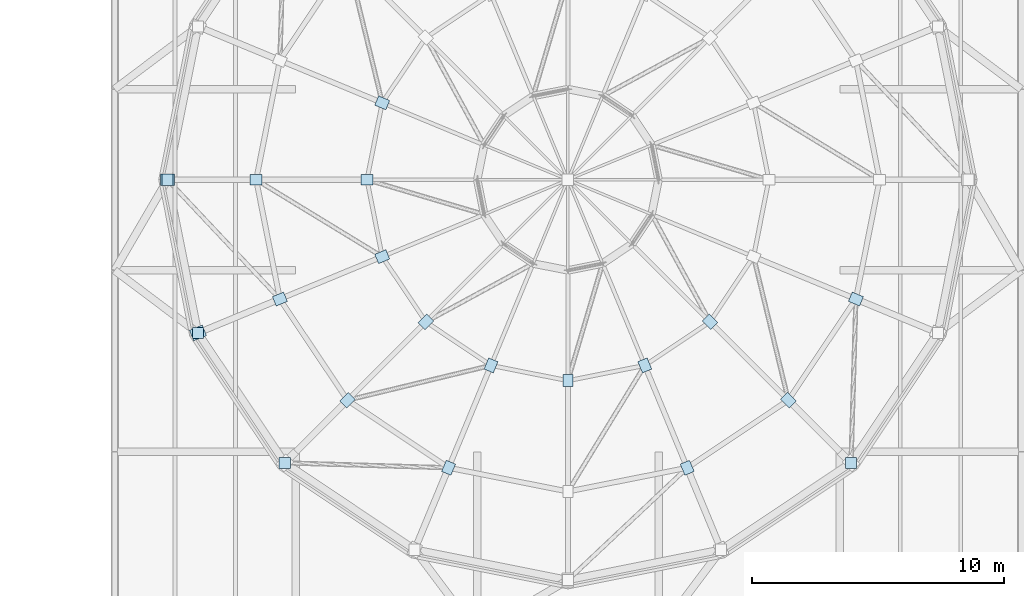
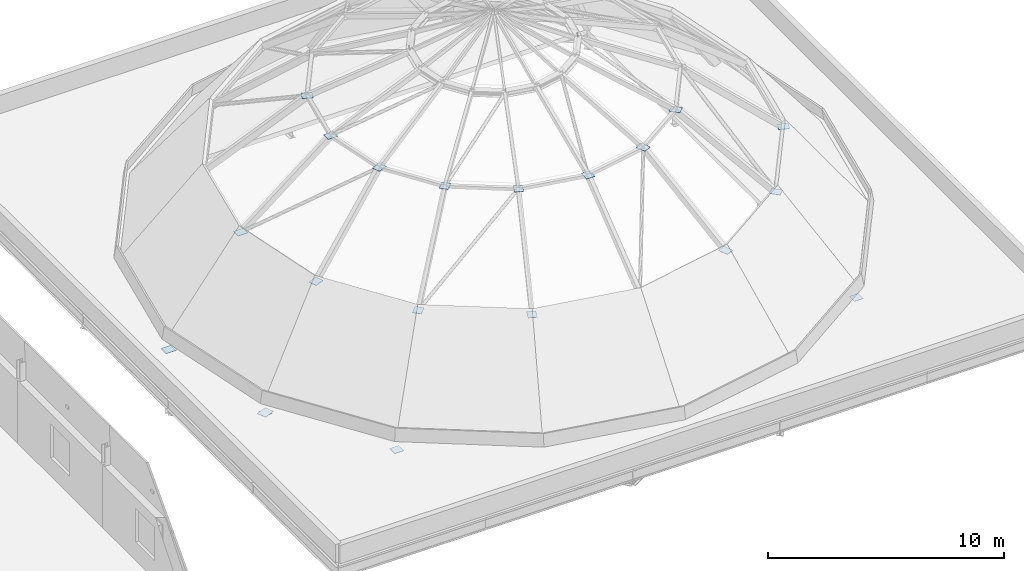
# One storey, part 36 of 66: 21 plates.
"""IFC4 building model written with IfcOpenShell, lengths in metres."""

from ifc_helpers import new_model, si_unit, direction, frame, origin, origin_2d, place, context, subcontext, project, spatial, rectangle, extrude, material, layer, layer_set, type_object, element, save


model = new_model("IFC4")

# Units and contexts
model_context = context("Model", 3, precision=1e-05, world=origin(), true_north=direction((0.0, 1.0)))
body_context = subcontext(model_context, "Body", "Model", "MODEL_VIEW")
ifc_project = project(units=[si_unit("LENGTHUNIT", "METRE"), si_unit("AREAUNIT", "SQUARE_METRE"), si_unit("VOLUMEUNIT", "CUBIC_METRE"), si_unit("PLANEANGLEUNIT", "RADIAN"), si_unit("MASSUNIT", "GRAM", prefix="KILO")], contexts=[model_context])

# Site, building, storey
site_placement = place(None, origin())
site = spatial("IfcSite", under=ifc_project, at=site_placement, CompositionType="ELEMENT")
building_placement = place(site_placement, origin())
building = spatial("IfcBuilding", under=site, at=building_placement, Name="Narikvali Park Central Library", CompositionType="ELEMENT")
storey_placement = place(building_placement, frame((0.0, 0.0, 18.60009765625)))
storey = spatial("IfcBuildingStorey", under=building, at=storey_placement, Name="L04", CompositionType="ELEMENT", Elevation=18.60009765625)

# Plates
ifc_material = material(Name="Steel S355", Category="steel")
ifc_layer_1 = layer(ifc_material, 0.02001953125, Name="Steel S355")
ifc_layer_set_1 = layer_set([ifc_layer_1], Name="Steel S355")
plate_type_1 = type_object("IfcPlateType", Name="Dome Ring Node Gusset Plate 20", PredefinedType="SHEET", material=ifc_layer_set_1)
for number, where, z_axis, x_axis, name in (
    (1, (66.89990234375, 75.60009765625, -0.66015625), (0.0, 0.0, 1.0), (-1.0, 0.0, 0.0), "Dome Ring Node Plate ND-09"),
    (2, (68.1103515625, 69.515380859375, -0.66015625), (0.0, 0.0, 1.0), (-0.923879532511, -0.382683432365, 0.0), "Dome Ring Node Plate ND-10"),
):
    element("IfcPlate", number, at=place(storey_placement, frame(where, z_axis=z_axis, x_axis=x_axis)), inside=storey, type_object=plate_type_1, Name=name, PredefinedType="SHEET", context=body_context, shape_type="SweptSolid", body=[
        extrude(rectangle(XDim=0.550048828125, YDim=0.449951171875, at=origin_2d()), origin(), (0.0, 0.0, 1.0), 0.02001953125),
    ])
for number, where, z_axis, x_axis, name in (
    (3, (70.419921875, 75.60009765625, 4.169921875), (0.0, 0.0, 1.0), (-1.0, 0.0, 0.0), "Dome Hoop Node Gusset Plate T1-09"),
    (4, (71.3623046875, 70.8623046875, 4.169921875), (0.0, 0.0, 1.0), (-0.923879532511, -0.382683432365, 0.0), "Dome Hoop Node Gusset Plate T1-10"),
    (5, (74.0458984375, 66.845947265625, 4.169921875), (0.0, 0.0, 1.0), (-0.707106781187, -0.707106781187, 0.0), "Dome Hoop Node Gusset Plate T1-11"),
    (6, (78.0625, 64.162353515625, 4.169921875), (0.0, 0.0, 1.0), (-0.382683432365, -0.923879532511, 0.0), "Dome Hoop Node Gusset Plate T1-12"),
    (7, (87.53759765625, 64.162353515625, 4.169921875), (0.0, 0.0, 1.0), (0.382683432365, -0.923879532511, 0.0), "Dome Hoop Node Gusset Plate T1-14"),
    (8, (91.553955078125, 66.845947265625, 4.169921875), (0.0, 0.0, 1.0), (0.707106781187, -0.707106781187, 0.0), "Dome Hoop Node Gusset Plate T1-15"),
    (9, (94.237548828125, 70.8623046875, 4.169921875), (0.0, 0.0, 1.0), (0.923879532511, -0.382683432365, 0.0), "Dome Hoop Node Gusset Plate T1-16"),
    (10, (75.427490234375, 78.65380859375, 7.6298828125), (0.0, 0.0, 1.0), (-0.923879532511, 0.382683432365, 0.0), "Dome Hoop Node Gusset Plate T2-08"),
    (11, (74.820068359375, 75.60009765625, 7.6298828125), (0.0, 0.0, 1.0), (-1.0, 0.0, 0.0), "Dome Hoop Node Gusset Plate T2-09"),
    (12, (75.427490234375, 72.546142578125, 7.6298828125), (0.0, 0.0, 1.0), (-0.923879532511, -0.382683432365, 0.0), "Dome Hoop Node Gusset Plate T2-10"),
    (13, (77.1572265625, 69.957275390625, 7.6298828125), (0.0, 0.0, 1.0), (-0.707106781187, -0.707106781187, 0.0), "Dome Hoop Node Gusset Plate T2-11"),
    (14, (79.74609375, 68.227294921875, 7.6298828125), (0.0, 0.0, 1.0), (-0.382683432365, -0.923879532511, 0.0), "Dome Hoop Node Gusset Plate T2-12"),
    (15, (82.800048828125, 67.6201171875, 7.6298828125), (0.0, 0.0, 1.0), (0.0, -1.0, 0.0), "Dome Hoop Node Gusset Plate T2-13"),
    (16, (85.853759765625, 68.227294921875, 7.6298828125), (0.0, 0.0, 1.0), (0.382683432365, -0.923879532511, 0.0), "Dome Hoop Node Gusset Plate T2-14"),
    (17, (88.442626953125, 69.957275390625, 7.6298828125), (0.0, 0.0, 1.0), (0.707106781187, -0.707106781187, 0.0), "Dome Hoop Node Gusset Plate T2-15"),
):
    element("IfcPlate", number, at=place(storey_placement, frame(where, z_axis=z_axis, x_axis=x_axis)), inside=storey, type_object=plate_type_1, Name=name, PredefinedType="SHEET", context=body_context, shape_type="SweptSolid", body=[
        extrude(rectangle(XDim=0.47998046875, YDim=0.39990234375, at=origin_2d()), origin(), (0.0, 0.0, 1.0), 0.02001953125),
    ])
ifc_layer_2 = layer(ifc_material, 0.013916015625, Name="Steel S355")
ifc_layer_set_2 = layer_set([ifc_layer_2], Name="Steel S355")
plate_type_2 = type_object("IfcPlateType", Name="Steel Hollow End Cap Plate 14", PredefinedType="SHEET", material=ifc_layer_set_2)
for number, where, z_axis, x_axis, name in (
    (18, (66.897705078125, 75.60009765625, -0.66015625), (0.0, 0.0, 1.0), (1.0, 0.0, 0.0), "Hollow Section Steel End Cap DOME-RCAP-B-09"),
    (19, (68.108154296875, 69.514404296875, -0.66015625), (0.0, 0.0, 1.0), (1.0, 0.0, 0.0), "Hollow Section Steel End Cap DOME-RCAP-B-10"),
    (20, (71.555419921875, 64.355224609375, -0.66015625), (0.0, 0.0, 1.0), (1.0, 0.0, 0.0), "Hollow Section Steel End Cap DOME-RCAP-B-11"),
    (21, (94.044677734375, 64.355224609375, -0.66015625), (0.0, 0.0, 1.0), (1.0, 0.0, 0.0), "Hollow Section Steel End Cap DOME-RCAP-B-15"),
):
    element("IfcPlate", number, at=place(storey_placement, frame(where, z_axis=z_axis, x_axis=x_axis)), inside=storey, type_object=plate_type_2, Name=name, PredefinedType="SHEET", context=body_context, shape_type="SweptSolid", body=[
        extrude(rectangle(XDim=0.43994140625, YDim=0.43994140625, at=origin_2d()), origin(), (0.0, 0.0, 1.0), 0.013916015625),
    ])

save(model, "model.ifc")
